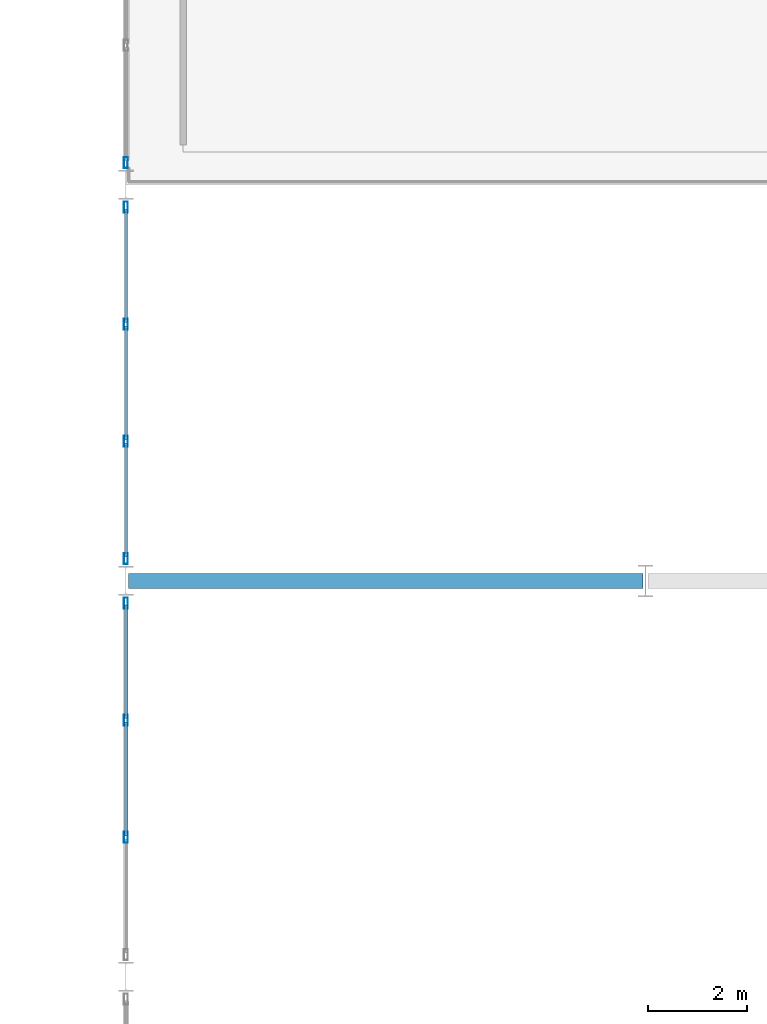
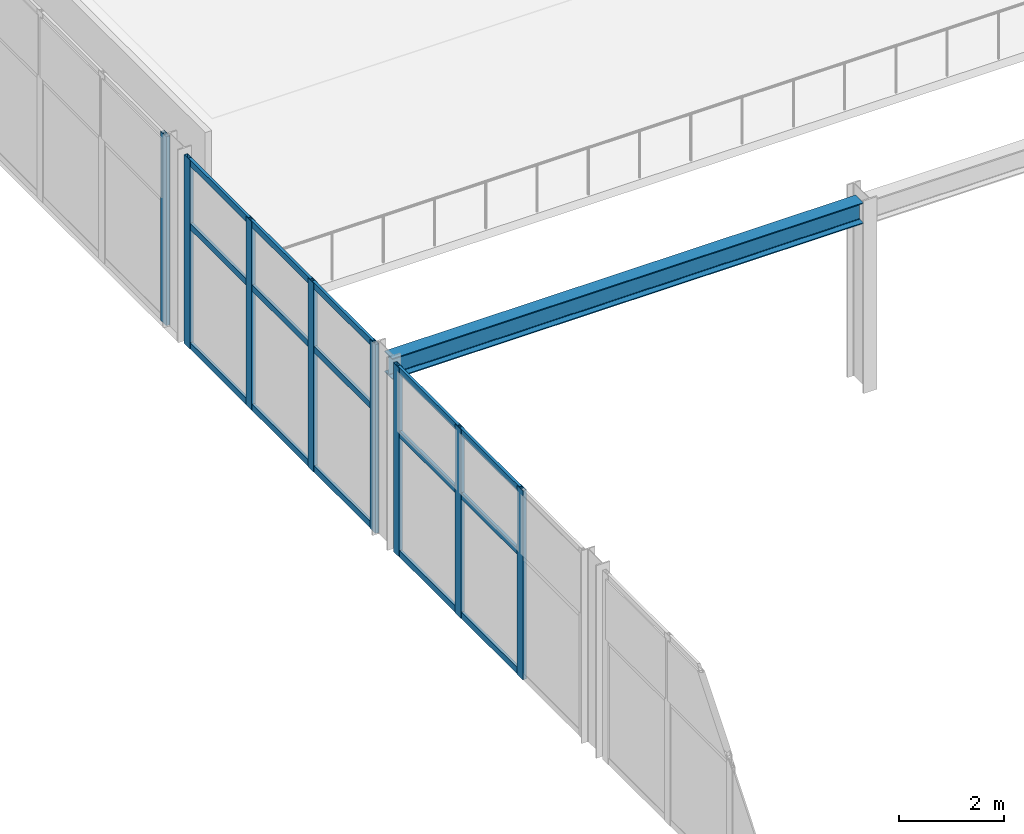
# One storey, part 30 of 105: 23 members, 1 beam, 3 elements without a shape of their own.
"""IFC4 building model written with IfcOpenShell, lengths in metres."""

import ifcopenshell
import ifcopenshell.guid

model = None  # the IFC model being written
_history = None  # IfcOwnerHistory: only IFC2X3 demands one
_inside = {}  # id of a spatial element -> (the spatial element, [elements in it])
_under = {}  # id of a project, library or spatial element -> (it, [spatial elements below it])
_declared = {}  # id of a project -> (the project, [libraries it declares])
_typed = {}  # id of a type object -> (the type object, [elements of that type])
_made_of = {}  # id of a material, layer set ... -> (it, [elements and type objects made of it])


def new_model(schema):
    """Start an empty IFC model of exactly this schema.

    Asked for "IFC4X3", IfcOpenShell would pick the latest addendum, in which some entities
    have other attributes; the version numbers below select the first issue.
    IFC2X3 requires an IfcOwnerHistory on every rooted entity: one is made here for all.
    """
    global model, _history
    if schema == "IFC4X3":
        model = ifcopenshell.file(schema_version=(4, 3, 0, 0))
    else:
        model = ifcopenshell.file(schema=schema)
    _inside.clear()
    _under.clear()
    _declared.clear()
    _typed.clear()
    _made_of.clear()
    _history = None
    if model.schema == "IFC2X3":
        org = make("IfcOrganization", Name="unknown")
        user = make(
            "IfcPersonAndOrganization",
            ThePerson=make("IfcPerson", FamilyName="unknown"),
            TheOrganization=org,
        )
        app = make(
            "IfcApplication",
            ApplicationDeveloper=org,
            Version="unknown",
            ApplicationFullName="unknown",
            ApplicationIdentifier="unknown",
        )
        _history = make(
            "IfcOwnerHistory",
            OwningUser=user,
            OwningApplication=app,
            ChangeAction="ADDED",
            CreationDate=0,
        )
    return model


def make(cls, **values):
    """One entity of the class cls with the attributes given. An attribute that is None is left unset."""
    return model.create_entity(
        cls, **{name: value for name, value in values.items() if value is not None}
    )


def rooted(cls, **values):
    """An entity with a GlobalId (a new one), such as an element, a storey or a relation."""
    return make(cls, GlobalId=ifcopenshell.guid.new(), OwnerHistory=_history, **values)


def si_unit(unit_type, name, prefix=None):
    """IfcSIUnit, for example si_unit("LENGTHUNIT", "METRE", prefix="MILLI")."""
    return make("IfcSIUnit", UnitType=unit_type, Prefix=prefix, Name=name)


def assignment(units):
    """IfcUnitAssignment: the units of a project."""
    return None if units is None else make("IfcUnitAssignment", Units=units)


def point(xyz):
    """IfcCartesianPoint."""
    return None if xyz is None else make("IfcCartesianPoint", Coordinates=xyz)


def direction(xyz):
    """IfcDirection."""
    return None if xyz is None else make("IfcDirection", DirectionRatios=xyz)


def frame(location, z_axis=None, x_axis=None):
    """IfcAxis2Placement3D, a coordinate frame: its origin and axes. An axis left out is left unset."""
    return make(
        "IfcAxis2Placement3D",
        Location=point(location),
        Axis=direction(z_axis),
        RefDirection=direction(x_axis),
    )


def frame_2d(location, x_axis=None):
    """IfcAxis2Placement2D, a coordinate frame in the plane: its origin and x axis."""
    return make(
        "IfcAxis2Placement2D", Location=point(location), RefDirection=direction(x_axis)
    )


def origin():
    """The frame at (0, 0, 0) with its axes left unset."""
    return frame((0.0, 0.0, 0.0))


def origin_2d():
    """The frame at (0, 0) in the plane with its x axis left unset."""
    return frame_2d((0.0, 0.0))


def place(relative_to, where):
    """IfcLocalPlacement: puts the frame where relative to a parent placement (None: the world)."""
    return make(
        "IfcLocalPlacement", PlacementRelTo=relative_to, RelativePlacement=where
    )


def context(
    kind, dimensions, precision=None, world=None, true_north=None, identifier=None
):
    """IfcGeometricRepresentationContext, for example the 3D "Model" context."""
    return make(
        "IfcGeometricRepresentationContext",
        ContextIdentifier=identifier,
        ContextType=kind,
        CoordinateSpaceDimension=dimensions,
        Precision=precision,
        WorldCoordinateSystem=world,
        TrueNorth=true_north,
    )


def subcontext(parent, identifier, kind, view, scale=None):
    """IfcGeometricRepresentationSubContext, for example "Body" below "Model"."""
    return make(
        "IfcGeometricRepresentationSubContext",
        ContextIdentifier=identifier,
        ContextType=kind,
        ParentContext=parent,
        TargetScale=scale,
        TargetView=view,
    )


def project(units=None, contexts=None):
    """IfcProject with its units and contexts."""
    return rooted(
        "IfcProject",
        Name="project",
        RepresentationContexts=contexts,
        UnitsInContext=assignment(units),
    )


def spatial(cls, under=None, at=None, **own):
    """A site, building, storey or space (cls), placed at a placement, below another one or the project."""
    s = rooted(cls, ObjectPlacement=at, **own)
    if under is not None:
        _under.setdefault(under.id(), (under, []))[1].append(s)
    return s


def profile(cls, at=None, kind="AREA", **sizes):
    """A parametric profile (cls). Its sizes go by their IFC names, for example OverallWidth=200.0."""
    return make(cls, ProfileType=kind, Position=at, **sizes)


def hollow_rectangle(**sizes):
    """IfcRectangleHollowProfileDef."""
    return profile("IfcRectangleHollowProfileDef", **sizes)


def i_section(**sizes):
    """IfcIShapeProfileDef."""
    return profile("IfcIShapeProfileDef", **sizes)


def extrude(swept, where, along, depth):
    """IfcExtrudedAreaSolid: the profile swept, set in the frame where, extruded along a direction by depth."""
    return make(
        "IfcExtrudedAreaSolid",
        SweptArea=swept,
        Position=where,
        ExtrudedDirection=direction(along),
        Depth=depth,
    )


def shape(context_of_items, identifier, shape_type, items):
    """IfcShapeRepresentation: the items that make up one representation, for example the "Body"."""
    return make(
        "IfcShapeRepresentation",
        ContextOfItems=context_of_items,
        RepresentationIdentifier=identifier,
        RepresentationType=shape_type,
        Items=items,
    )


def material(Name=None, Category=None):
    """IfcMaterial."""
    return make("IfcMaterial", Name=Name, Category=Category)


def layer(
    of_material, thickness, ventilated=None, Name=None, Category=None, Priority=None
):
    """IfcMaterialLayer: one layer of a wall or slab, of a material (None: an air gap)."""
    return make(
        "IfcMaterialLayer",
        Material=of_material,
        LayerThickness=thickness,
        IsVentilated=ventilated,
        Name=Name,
        Category=Category,
        Priority=Priority,
    )


def layer_set(layers, Name=None):
    """IfcMaterialLayerSet."""
    return make("IfcMaterialLayerSet", MaterialLayers=layers, LayerSetName=Name)


def material_profile(
    of_material, cross_section, Name=None, Category=None, Priority=None
):
    """IfcMaterialProfile: a cross section and its material."""
    return make(
        "IfcMaterialProfile",
        Name=Name,
        Material=of_material,
        Profile=cross_section,
        Priority=Priority,
        Category=Category,
    )


def profile_set(profiles, Name=None, composite=None):
    """IfcMaterialProfileSet."""
    return make(
        "IfcMaterialProfileSet",
        Name=Name,
        MaterialProfiles=profiles,
        CompositeProfile=composite,
    )


def made_of(thing, what):
    """Note that an element or type object is made of a material, layer set ...; save() writes the relation."""
    if what is not None:
        _made_of.setdefault(what.id(), (what, []))[1].append(thing)
    return thing


def type_object(cls, material=None, **own):
    """A type object (cls), such as IfcWallType, which elements share."""
    return made_of(rooted(cls, **own), material)


def element(
    cls,
    number,
    at=None,
    inside=None,
    cuts=None,
    type_object=None,
    material=None,
    context=None,
    identifier="Body",
    shape_type=None,
    held_by="IfcProductDefinitionShape",
    body=None,
    shapes=None,
    **own,
):
    """One element of the class cls, such as IfcWall. Its Tag is "e" and its number.

    at: its placement. inside: the storey or other place that contains it. cuts: it is an
    opening in that element (IfcRelVoidsElement). A single representation is given by context,
    identifier, shape_type and body (its items); several are given by shapes. held_by: the class
    of the entity that holds the representations. save() writes the other relations.
    """
    e = rooted(cls, Tag="e%d" % number, ObjectPlacement=at, **own)
    if body is not None:
        shapes = [shape(context, identifier, shape_type, body)]
    if shapes is not None:
        e.Representation = make(held_by, Representations=shapes)
    if inside is not None:
        _inside.setdefault(inside.id(), (inside, []))[1].append(e)
    if cuts is not None:
        rooted(
            "IfcRelVoidsElement", RelatingBuildingElement=cuts, RelatedOpeningElement=e
        )
    if type_object is not None:
        _typed.setdefault(type_object.id(), (type_object, []))[1].append(e)
    return made_of(e, material)


def aggregate(whole, parts):
    """IfcRelAggregates: a whole, such as a stair, and the parts it consists of."""
    return rooted("IfcRelAggregates", RelatingObject=whole, RelatedObjects=parts)


def save(model, path):
    """Write the relations noted so far, then the file.

    IfcRelAggregates (storeys below a building ...), IfcRelContainedInSpatialStructure (elements
    in a storey), IfcRelDefinesByType, IfcRelAssociatesMaterial and IfcRelDeclares: one each for
    every whole, place, type object, material and project.
    """
    for whole, parts in _under.values():
        aggregate(whole, parts)
    for where, things in _inside.values():
        rooted(
            "IfcRelContainedInSpatialStructure",
            RelatedElements=things,
            RelatingStructure=where,
        )
    for kind, things in _typed.values():
        rooted("IfcRelDefinesByType", RelatedObjects=things, RelatingType=kind)
    for what, things in _made_of.values():
        rooted("IfcRelAssociatesMaterial", RelatedObjects=things, RelatingMaterial=what)
    for by, libraries in _declared.values():
        rooted("IfcRelDeclares", RelatingContext=by, RelatedDefinitions=libraries)
    model.write(path)


model = new_model("IFC4")

# Units and contexts
model_context = context("Model", 3, precision=1e-05, world=origin(), true_north=direction((0.0, 1.0)))
body_context = subcontext(model_context, "Body", "Model", "MODEL_VIEW")
ifc_project = project(units=[si_unit("LENGTHUNIT", "METRE"), si_unit("AREAUNIT", "SQUARE_METRE"), si_unit("VOLUMEUNIT", "CUBIC_METRE"), si_unit("PLANEANGLEUNIT", "RADIAN"), si_unit("MASSUNIT", "GRAM", prefix="KILO")], contexts=[model_context])

# Site, building, storey
site_placement = place(None, origin())
site = spatial("IfcSite", under=ifc_project, at=site_placement, CompositionType="ELEMENT")
building_placement = place(site_placement, origin())
building = spatial("IfcBuilding", under=site, at=building_placement, Name="Marlcrest Central Station", CompositionType="ELEMENT")
storey_placement = place(building_placement, frame((0.0, 0.0, 15.0)))
storey = spatial("IfcBuildingStorey", under=building, at=storey_placement, Name="L03", CompositionType="ELEMENT", Elevation=15.0)

# Beam
ifc_material_1 = material(Name="Steel S355", Category="steel")
ifc_material_profile_1 = material_profile(ifc_material_1, i_section(OverallWidth=0.300048828125, OverallDepth=0.489990234375, WebThickness=0.011962890625, FlangeThickness=0.02294921875, FilletRadius=0.027099609375, at=origin_2d()), Name="HEA 500")
ifc_profile_set_1 = profile_set([ifc_material_profile_1], Name="Steel S355")
beam_type = type_object("IfcBeamType", Name="BM-10", PredefinedType="BEAM", material=ifc_profile_set_1)
beam_placement = place(storey_placement, frame((87.050048828125, 86.5, 4.074951171875), z_axis=(1.0, 0.0, 0.0), x_axis=(0.0, 1.0, 0.0)))
element("IfcBeam", 1, at=beam_placement, inside=storey, type_object=beam_type, Name="bm-BM-10-L03-01212", PredefinedType="BEAM", context=body_context, shape_type="SweptSolid", body=[
    extrude(i_section(OverallWidth=0.300048828125, OverallDepth=0.489990234375, WebThickness=0.011962890625, FlangeThickness=0.02294921875, FilletRadius=0.027099609375, at=origin_2d()), origin(), (0.0, 0.0, 1.0), 10.39990234375),
])

# Curtain wall, members
ifc_material_2 = material(Name="Anodised aluminium and hurricane laminated glass", Category="aluminium")
ifc_layer = layer(ifc_material_2, 0.219970703125, Name="CW-U1")
ifc_layer_set = layer_set([ifc_layer], Name="Anodised aluminium and hurricane laminated glass")
curtain_wall_type = type_object("IfcCurtainWallType", Name="CW-U1", PredefinedType="USERDEFINED", material=ifc_layer_set)
curtain_wall_1_placement = place(storey_placement, origin())
curtain_wall_1 = element("IfcCurtainWall", 2, at=curtain_wall_1_placement, inside=storey, type_object=curtain_wall_type, Name="cw-L03-0129", ObjectType="UNITISED_CURTAIN_WALL", PredefinedType="USERDEFINED")
ifc_material_3 = material(Name="Anodised aluminium 6063-T6", Category="aluminium")
ifc_material_profile_2 = material_profile(ifc_material_3, hollow_rectangle(XDim=0.080078125, YDim=0.219970703125, WallThickness=0.006103515625, at=origin_2d()), Name="AA-RHS 220x80x6")
ifc_profile_set_2 = profile_set([ifc_material_profile_2], Name="Anodised aluminium 6063-T6")
member_type_1 = type_object("IfcMemberType", Name="ML-01", PredefinedType="MULLION", material=ifc_profile_set_2)
member_1_placement = place(storey_placement, frame((87.0, 81.316650390625, -0.030029296875), z_axis=(0.0, 0.0, 1.0), x_axis=(1.0, 0.0, 0.0)))
member_1 = element("IfcMember", 3, at=member_1_placement, type_object=member_type_1, Name="cw-L03-0129-ml-1", PredefinedType="MULLION", context=body_context, shape_type="SweptSolid", body=[
    extrude(hollow_rectangle(XDim=0.080078125, YDim=0.219970703125, WallThickness=0.006103515625, at=origin_2d()), origin(), (0.0, 0.0, 1.0), 4.409912109375),
])
member_2_placement = place(storey_placement, frame((87.0, 83.683349609375, -0.030029296875), z_axis=(0.0, 0.0, 1.0), x_axis=(1.0, 0.0, 0.0)))
member_2 = element("IfcMember", 4, at=member_2_placement, type_object=member_type_1, Name="cw-L03-0129-ml-2", PredefinedType="MULLION", context=body_context, shape_type="SweptSolid", body=[
    extrude(hollow_rectangle(XDim=0.080078125, YDim=0.219970703125, WallThickness=0.006103515625, at=origin_2d()), origin(), (0.0, 0.0, 1.0), 4.409912109375),
])
member_3_placement = place(storey_placement, frame((87.0, 86.050048828125, -0.030029296875), z_axis=(0.0, 0.0, 1.0), x_axis=(1.0, 0.0, 0.0)))
member_3 = element("IfcMember", 5, at=member_3_placement, type_object=member_type_1, Name="cw-L03-0129-ml-3", PredefinedType="MULLION", context=body_context, shape_type="SweptSolid", body=[
    extrude(hollow_rectangle(XDim=0.080078125, YDim=0.219970703125, WallThickness=0.006103515625, at=origin_2d()), origin(), (0.0, 0.0, 1.0), 4.409912109375),
])

curtain_wall_2_placement = place(storey_placement, origin())
curtain_wall_2 = element("IfcCurtainWall", 6, at=curtain_wall_2_placement, inside=storey, type_object=curtain_wall_type, Name="cw-L03-0133", ObjectType="UNITISED_CURTAIN_WALL", PredefinedType="USERDEFINED")
member_4_placement = place(storey_placement, frame((87.0, 86.949951171875, -0.030029296875), z_axis=(0.0, 0.0, 1.0), x_axis=(1.0, 0.0, 0.0)))
member_4 = element("IfcMember", 7, at=member_4_placement, type_object=member_type_1, Name="cw-L03-0133-ml-0", PredefinedType="MULLION", context=body_context, shape_type="SweptSolid", body=[
    extrude(hollow_rectangle(XDim=0.080078125, YDim=0.219970703125, WallThickness=0.006103515625, at=origin_2d()), origin(), (0.0, 0.0, 1.0), 4.409912109375),
])
member_5_placement = place(storey_placement, frame((87.0, 89.316650390625, -0.030029296875), z_axis=(0.0, 0.0, 1.0), x_axis=(1.0, 0.0, 0.0)))
member_5 = element("IfcMember", 8, at=member_5_placement, type_object=member_type_1, Name="cw-L03-0133-ml-1", PredefinedType="MULLION", context=body_context, shape_type="SweptSolid", body=[
    extrude(hollow_rectangle(XDim=0.080078125, YDim=0.219970703125, WallThickness=0.006103515625, at=origin_2d()), origin(), (0.0, 0.0, 1.0), 4.409912109375),
])
member_6_placement = place(storey_placement, frame((87.0, 91.683349609375, -0.030029296875), z_axis=(0.0, 0.0, 1.0), x_axis=(1.0, 0.0, 0.0)))
member_6 = element("IfcMember", 9, at=member_6_placement, type_object=member_type_1, Name="cw-L03-0133-ml-2", PredefinedType="MULLION", context=body_context, shape_type="SweptSolid", body=[
    extrude(hollow_rectangle(XDim=0.080078125, YDim=0.219970703125, WallThickness=0.006103515625, at=origin_2d()), origin(), (0.0, 0.0, 1.0), 4.409912109375),
])
member_7_placement = place(storey_placement, frame((87.0, 94.050048828125, -0.030029296875), z_axis=(0.0, 0.0, 1.0), x_axis=(1.0, 0.0, 0.0)))
member_7 = element("IfcMember", 10, at=member_7_placement, type_object=member_type_1, Name="cw-L03-0133-ml-3", PredefinedType="MULLION", context=body_context, shape_type="SweptSolid", body=[
    extrude(hollow_rectangle(XDim=0.080078125, YDim=0.219970703125, WallThickness=0.006103515625, at=origin_2d()), origin(), (0.0, 0.0, 1.0), 4.409912109375),
])

# Curtain wall, member
curtain_wall_3_placement = place(storey_placement, origin())
curtain_wall_3 = element("IfcCurtainWall", 11, at=curtain_wall_3_placement, inside=storey, type_object=curtain_wall_type, Name="cw-L03-0137", ObjectType="UNITISED_CURTAIN_WALL", PredefinedType="USERDEFINED")
member_8_placement = place(storey_placement, frame((87.0, 94.949951171875, -0.030029296875), z_axis=(0.0, 0.0, 1.0), x_axis=(1.0, 0.0, 0.0)))
member_8 = element("IfcMember", 12, at=member_8_placement, type_object=member_type_1, Name="cw-L03-0137-ml-0", PredefinedType="MULLION", context=body_context, shape_type="SweptSolid", body=[
    extrude(hollow_rectangle(XDim=0.080078125, YDim=0.219970703125, WallThickness=0.006103515625, at=origin_2d()), origin(), (0.0, 0.0, 1.0), 4.409912109375),
])
aggregate(curtain_wall_3, [member_8])

# Member
ifc_material_profile_3 = material_profile(ifc_material_3, hollow_rectangle(XDim=0.06005859375, YDim=0.14990234375, WallThickness=0.00390625, at=origin_2d()), Name="AA-RHS 150x60x4")
ifc_profile_set_3 = profile_set([ifc_material_profile_3], Name="Anodised aluminium 6063-T6")
member_type_2 = type_object("IfcMemberType", Name="TR-01", PredefinedType="USERDEFINED", material=ifc_profile_set_3)
member_9_placement = place(storey_placement, frame((87.0, 81.354736328125, 0.0400390625), z_axis=(0.0, 1.0, 0.0), x_axis=(-1.0, 0.0, 0.0)))
member_9 = element("IfcMember", 13, at=member_9_placement, type_object=member_type_2, Name="cw-L03-0129-tr-1-sill", ObjectType="TRANSOM", PredefinedType="USERDEFINED", context=body_context, shape_type="SweptSolid", body=[
    extrude(hollow_rectangle(XDim=0.06005859375, YDim=0.14990234375, WallThickness=0.00390625, at=origin_2d()), origin(), (0.0, 0.0, 1.0), 2.29052734375),
])

member_10_placement = place(storey_placement, frame((87.0, 81.354736328125, 2.827880859375), z_axis=(0.0, 1.0, 0.0), x_axis=(-1.0, 0.0, 0.0)))
member_10 = element("IfcMember", 14, at=member_10_placement, type_object=member_type_2, Name="cw-L03-0129-tr-1-mid", ObjectType="TRANSOM", PredefinedType="USERDEFINED", context=body_context, shape_type="SweptSolid", body=[
    extrude(hollow_rectangle(XDim=0.06005859375, YDim=0.14990234375, WallThickness=0.00390625, at=origin_2d()), origin(), (0.0, 0.0, 1.0), 2.29052734375),
])

member_11_placement = place(storey_placement, frame((87.0, 81.354736328125, 4.31005859375), z_axis=(0.0, 1.0, 0.0), x_axis=(-1.0, 0.0, 0.0)))
member_11 = element("IfcMember", 15, at=member_11_placement, type_object=member_type_2, Name="cw-L03-0129-tr-1-head", ObjectType="TRANSOM", PredefinedType="USERDEFINED", context=body_context, shape_type="SweptSolid", body=[
    extrude(hollow_rectangle(XDim=0.06005859375, YDim=0.14990234375, WallThickness=0.00390625, at=origin_2d()), origin(), (0.0, 0.0, 1.0), 2.29052734375),
])

member_12_placement = place(storey_placement, frame((87.0, 83.72119140625, 0.0400390625), z_axis=(0.0, 1.0, 0.0), x_axis=(-1.0, 0.0, 0.0)))
member_12 = element("IfcMember", 16, at=member_12_placement, type_object=member_type_2, Name="cw-L03-0129-tr-2-sill", ObjectType="TRANSOM", PredefinedType="USERDEFINED", context=body_context, shape_type="SweptSolid", body=[
    extrude(hollow_rectangle(XDim=0.06005859375, YDim=0.14990234375, WallThickness=0.00390625, at=origin_2d()), origin(), (0.0, 0.0, 1.0), 2.290771484375),
])

member_13_placement = place(storey_placement, frame((87.0, 83.72119140625, 2.827880859375), z_axis=(0.0, 1.0, 0.0), x_axis=(-1.0, 0.0, 0.0)))
member_13 = element("IfcMember", 17, at=member_13_placement, type_object=member_type_2, Name="cw-L03-0129-tr-2-mid", ObjectType="TRANSOM", PredefinedType="USERDEFINED", context=body_context, shape_type="SweptSolid", body=[
    extrude(hollow_rectangle(XDim=0.06005859375, YDim=0.14990234375, WallThickness=0.00390625, at=origin_2d()), origin(), (0.0, 0.0, 1.0), 2.290771484375),
])

member_14_placement = place(storey_placement, frame((87.0, 83.72119140625, 4.31005859375), z_axis=(0.0, 1.0, 0.0), x_axis=(-1.0, 0.0, 0.0)))
member_14 = element("IfcMember", 18, at=member_14_placement, type_object=member_type_2, Name="cw-L03-0129-tr-2-head", ObjectType="TRANSOM", PredefinedType="USERDEFINED", context=body_context, shape_type="SweptSolid", body=[
    extrude(hollow_rectangle(XDim=0.06005859375, YDim=0.14990234375, WallThickness=0.00390625, at=origin_2d()), origin(), (0.0, 0.0, 1.0), 2.290771484375),
])

aggregate(curtain_wall_1, [member_1, member_2, member_3, member_9, member_10, member_11, member_12, member_13, member_14])

member_15_placement = place(storey_placement, frame((87.0, 86.988037109375, 0.0400390625), z_axis=(0.0, 1.0, 0.0), x_axis=(-1.0, 0.0, 0.0)))
member_15 = element("IfcMember", 19, at=member_15_placement, type_object=member_type_2, Name="cw-L03-0133-tr-0-sill", ObjectType="TRANSOM", PredefinedType="USERDEFINED", context=body_context, shape_type="SweptSolid", body=[
    extrude(hollow_rectangle(XDim=0.06005859375, YDim=0.14990234375, WallThickness=0.00390625, at=origin_2d()), origin(), (0.0, 0.0, 1.0), 2.290771484375),
])

member_16_placement = place(storey_placement, frame((87.0, 86.988037109375, 2.827880859375), z_axis=(0.0, 1.0, 0.0), x_axis=(-1.0, 0.0, 0.0)))
member_16 = element("IfcMember", 20, at=member_16_placement, type_object=member_type_2, Name="cw-L03-0133-tr-0-mid", ObjectType="TRANSOM", PredefinedType="USERDEFINED", context=body_context, shape_type="SweptSolid", body=[
    extrude(hollow_rectangle(XDim=0.06005859375, YDim=0.14990234375, WallThickness=0.00390625, at=origin_2d()), origin(), (0.0, 0.0, 1.0), 2.290771484375),
])

member_17_placement = place(storey_placement, frame((87.0, 86.988037109375, 4.31005859375), z_axis=(0.0, 1.0, 0.0), x_axis=(-1.0, 0.0, 0.0)))
member_17 = element("IfcMember", 21, at=member_17_placement, type_object=member_type_2, Name="cw-L03-0133-tr-0-head", ObjectType="TRANSOM", PredefinedType="USERDEFINED", context=body_context, shape_type="SweptSolid", body=[
    extrude(hollow_rectangle(XDim=0.06005859375, YDim=0.14990234375, WallThickness=0.00390625, at=origin_2d()), origin(), (0.0, 0.0, 1.0), 2.290771484375),
])

member_18_placement = place(storey_placement, frame((87.0, 89.354736328125, 0.0400390625), z_axis=(0.0, 1.0, 0.0), x_axis=(-1.0, 0.0, 0.0)))
member_18 = element("IfcMember", 22, at=member_18_placement, type_object=member_type_2, Name="cw-L03-0133-tr-1-sill", ObjectType="TRANSOM", PredefinedType="USERDEFINED", context=body_context, shape_type="SweptSolid", body=[
    extrude(hollow_rectangle(XDim=0.06005859375, YDim=0.14990234375, WallThickness=0.00390625, at=origin_2d()), origin(), (0.0, 0.0, 1.0), 2.29052734375),
])

member_19_placement = place(storey_placement, frame((87.0, 89.354736328125, 2.827880859375), z_axis=(0.0, 1.0, 0.0), x_axis=(-1.0, 0.0, 0.0)))
member_19 = element("IfcMember", 23, at=member_19_placement, type_object=member_type_2, Name="cw-L03-0133-tr-1-mid", ObjectType="TRANSOM", PredefinedType="USERDEFINED", context=body_context, shape_type="SweptSolid", body=[
    extrude(hollow_rectangle(XDim=0.06005859375, YDim=0.14990234375, WallThickness=0.00390625, at=origin_2d()), origin(), (0.0, 0.0, 1.0), 2.29052734375),
])

member_20_placement = place(storey_placement, frame((87.0, 89.354736328125, 4.31005859375), z_axis=(0.0, 1.0, 0.0), x_axis=(-1.0, 0.0, 0.0)))
member_20 = element("IfcMember", 24, at=member_20_placement, type_object=member_type_2, Name="cw-L03-0133-tr-1-head", ObjectType="TRANSOM", PredefinedType="USERDEFINED", context=body_context, shape_type="SweptSolid", body=[
    extrude(hollow_rectangle(XDim=0.06005859375, YDim=0.14990234375, WallThickness=0.00390625, at=origin_2d()), origin(), (0.0, 0.0, 1.0), 2.29052734375),
])

member_21_placement = place(storey_placement, frame((87.0, 91.72119140625, 0.0400390625), z_axis=(0.0, 1.0, 0.0), x_axis=(-1.0, 0.0, 0.0)))
member_21 = element("IfcMember", 25, at=member_21_placement, type_object=member_type_2, Name="cw-L03-0133-tr-2-sill", ObjectType="TRANSOM", PredefinedType="USERDEFINED", context=body_context, shape_type="SweptSolid", body=[
    extrude(hollow_rectangle(XDim=0.06005859375, YDim=0.14990234375, WallThickness=0.00390625, at=origin_2d()), origin(), (0.0, 0.0, 1.0), 2.290771484375),
])

member_22_placement = place(storey_placement, frame((87.0, 91.72119140625, 2.827880859375), z_axis=(0.0, 1.0, 0.0), x_axis=(-1.0, 0.0, 0.0)))
member_22 = element("IfcMember", 26, at=member_22_placement, type_object=member_type_2, Name="cw-L03-0133-tr-2-mid", ObjectType="TRANSOM", PredefinedType="USERDEFINED", context=body_context, shape_type="SweptSolid", body=[
    extrude(hollow_rectangle(XDim=0.06005859375, YDim=0.14990234375, WallThickness=0.00390625, at=origin_2d()), origin(), (0.0, 0.0, 1.0), 2.290771484375),
])

member_23_placement = place(storey_placement, frame((87.0, 91.72119140625, 4.31005859375), z_axis=(0.0, 1.0, 0.0), x_axis=(-1.0, 0.0, 0.0)))
member_23 = element("IfcMember", 27, at=member_23_placement, type_object=member_type_2, Name="cw-L03-0133-tr-2-head", ObjectType="TRANSOM", PredefinedType="USERDEFINED", context=body_context, shape_type="SweptSolid", body=[
    extrude(hollow_rectangle(XDim=0.06005859375, YDim=0.14990234375, WallThickness=0.00390625, at=origin_2d()), origin(), (0.0, 0.0, 1.0), 2.290771484375),
])

aggregate(curtain_wall_2, [member_4, member_5, member_6, member_7, member_15, member_16, member_17, member_18, member_19, member_20, member_21, member_22, member_23])

save(model, "model.ifc")
